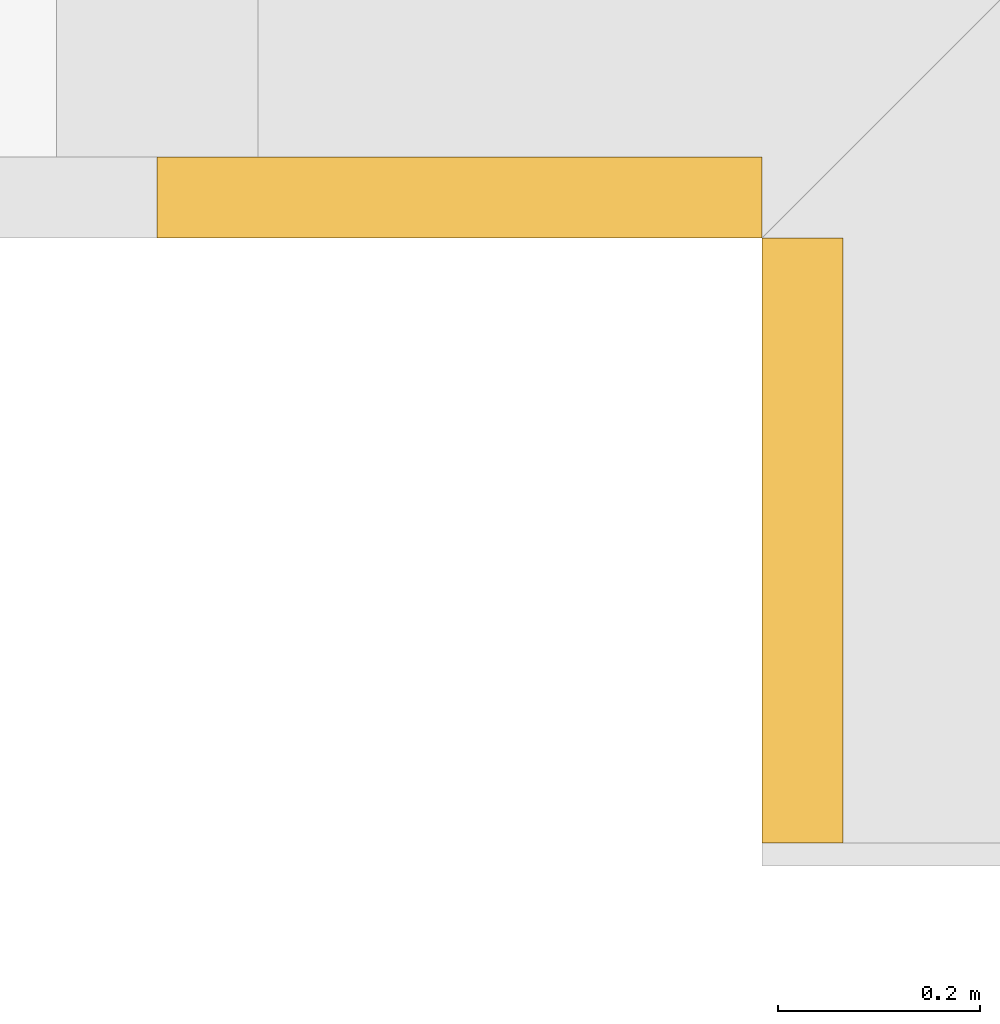
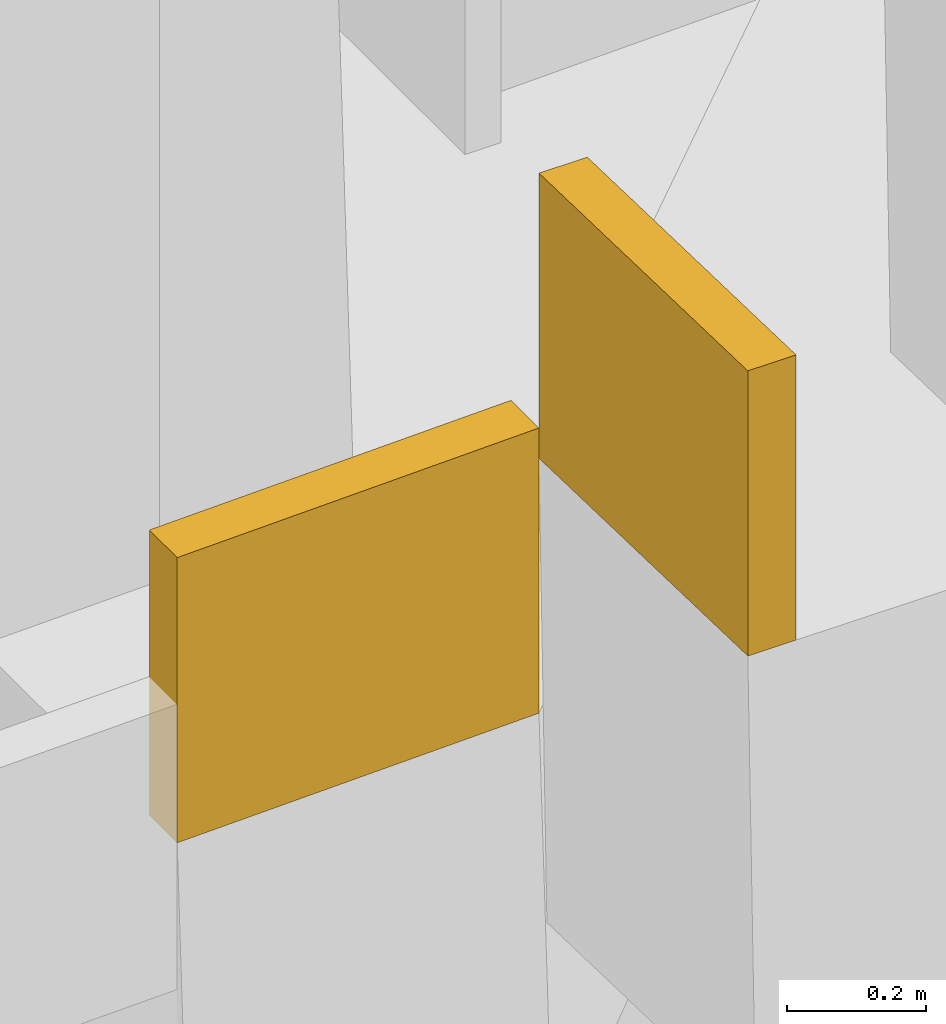
# One storey, part 28 of 29: 2 coverings.
"""IFC4 building model written with IfcOpenShell, lengths in metres."""

from ifc_helpers import new_model, si_unit, direction, frame, origin, place, context, subcontext, project, spatial, polyline, outline, extrude, material, layer, layer_set, type_object, element, save


model = new_model("IFC4")

# Units and contexts
model_context = context("Model", 3, precision=1e-05, world=origin(), true_north=direction((0.0, 1.0)))
body_context = subcontext(model_context, "Body", "Model", "MODEL_VIEW")
ifc_project = project(units=[si_unit("LENGTHUNIT", "METRE"), si_unit("AREAUNIT", "SQUARE_METRE"), si_unit("VOLUMEUNIT", "CUBIC_METRE"), si_unit("PLANEANGLEUNIT", "RADIAN"), si_unit("MASSUNIT", "GRAM", prefix="KILO")], contexts=[model_context])

# Site, building, storey
site_placement = place(None, origin())
site = spatial("IfcSite", under=ifc_project, at=site_placement, CompositionType="ELEMENT")
building_placement = place(site_placement, origin())
building = spatial("IfcBuilding", under=site, at=building_placement, Name="Saffron Gate Tower", CompositionType="ELEMENT")
storey_placement = place(building_placement, frame((0.0, 0.0, 187.050048828125)))
storey = spatial("IfcBuildingStorey", under=building, at=storey_placement, Name="L46", CompositionType="ELEMENT", Elevation=187.050048828125)

# Coverings
ifc_material = material(Name="Timber, thermally modified ash", Category="wood")
ifc_layer = layer(ifc_material, 0.080078125)
ifc_layer_set = layer_set([ifc_layer], Name="LD2 ledge planter trough")
covering_type = type_object("IfcCoveringType", Name="LD2 ledge planter trough", PredefinedType="CLADDING", material=ifc_layer_set)
covering_1_placement = place(storey_placement, frame((49.800048828125, 32.39990234375, 3.024658203125), z_axis=(0.0, -1.0, 0.0), x_axis=(0.999582742162, 0.0, 0.028884971385)))
element("IfcCovering", 1, at=covering_1_placement, inside=storey, type_object=covering_type, Name="LEDGE planter trough", PredefinedType="CLADDING", context=body_context, shape_type="SweptSolid", body=[
    extrude(outline(polyline([(0.0, 0.0), (0.6001039136866089, 0.0), (0.614546399379222, 0.4997913710809928), (0.014442485692613144, 0.49979137108099286), (0.0, 0.0)])), origin(), (0.0, 0.0, -1.0), 0.080078125),
])
covering_2_placement = place(storey_placement, frame((50.39990234375, 32.39990234375, 3.48876953125), z_axis=(-1.0, 0.0, 0.0), x_axis=(0.0, -0.999594406032, 0.028478473106)))
element("IfcCovering", 2, at=covering_2_placement, inside=storey, type_object=covering_type, Name="LEDGE planter trough", PredefinedType="CLADDING", context=body_context, shape_type="SweptSolid", body=[
    extrude(outline(polyline([(0.0, 0.0), (0.6000969113127241, 0.0), (0.6143361478658799, 0.49979720301576647), (0.01423923655315574, 0.49979720301576647), (0.0, 0.0)])), origin(), (0.0, 0.0, -1.0), 0.080078125),
])

save(model, "model.ifc")
